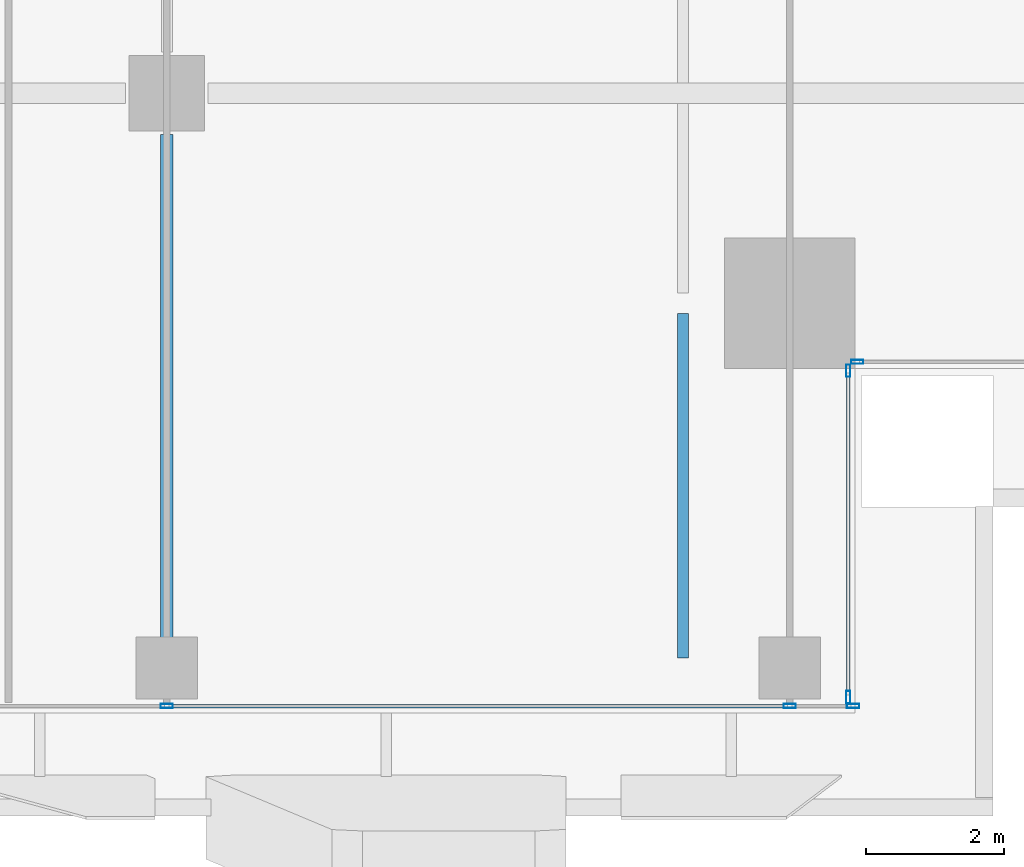
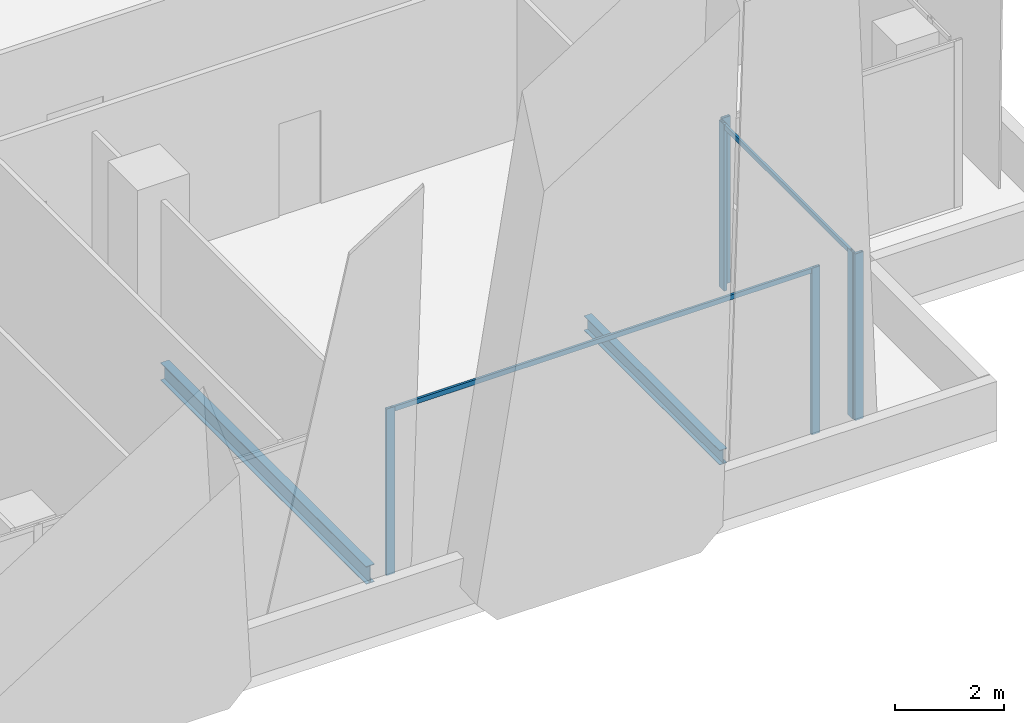
# One storey, part 9 of 33: 8 members, 2 beams, 3 elements without a shape of their own.
"""IFC4 building model written with IfcOpenShell, lengths in metres."""

from ifc_helpers import new_model, si_unit, direction, frame, origin, origin_2d, place, context, subcontext, project, spatial, hollow_rectangle, i_section, extrude, source, transform, mapped, material, material_profile, profile_set, type_object, element, aggregate, save


model = new_model("IFC4")

# Units and contexts
model_context = context("Model", 3, precision=1e-05, world=origin(), true_north=direction((0.0, 1.0)))
body_context = subcontext(model_context, "Body", "Model", "MODEL_VIEW")
ifc_project = project(units=[si_unit("LENGTHUNIT", "METRE"), si_unit("AREAUNIT", "SQUARE_METRE"), si_unit("VOLUMEUNIT", "CUBIC_METRE"), si_unit("PLANEANGLEUNIT", "RADIAN"), si_unit("MASSUNIT", "GRAM", prefix="KILO")], contexts=[model_context])

# Site, building, storey
site_placement = place(None, origin())
site = spatial("IfcSite", under=ifc_project, at=site_placement, CompositionType="ELEMENT")
building_placement = place(site_placement, origin())
building = spatial("IfcBuilding", under=site, at=building_placement, Name="Khomas Fold Tower", CompositionType="ELEMENT")
storey_placement = place(building_placement, frame((0.0, 0.0, 222.199951171875)))
storey = spatial("IfcBuildingStorey", under=building, at=storey_placement, Name="L49", CompositionType="ELEMENT", Elevation=222.199951171875)

# Beams
ifc_material_1 = material(Name="Steel S355", Category="steel")
ifc_material_profile_1 = material_profile(ifc_material_1, i_section(OverallWidth=0.159912109375, OverallDepth=0.330078125, WebThickness=0.007568359375, FlangeThickness=0.011474609375, at=origin_2d()), Name="IPE 330")
ifc_profile_set_1 = profile_set([ifc_material_profile_1], Name="Steel S355")
beam_type_1 = type_object("IfcBeamType", Name="IPE 330 beam JB1", PredefinedType="BEAM", material=ifc_profile_set_1)
shared_shape_1 = source(origin(), body_context, "Body", "SweptSolid", [
    extrude(i_section(OverallWidth=0.159912109375, OverallDepth=0.330078125, WebThickness=0.007568359375, FlangeThickness=0.011474609375, at=origin_2d()), origin(), (0.0, 0.0, 1.0), 5.0),
])
beam_1_placement = place(storey_placement, frame((42.0, 5.300048828125, -0.4150390625), z_axis=(0.0, 1.0, 0.0), x_axis=(-1.0, 0.0, 0.0)))
element("IfcBeam", 1, at=beam_1_placement, inside=storey, type_object=beam_type_1, Name="JB1", PredefinedType="BEAM", context=body_context, shape_type="MappedRepresentation", body=[
    mapped(shared_shape_1, transform((0.0, 0.0, 0.0))),
])
ifc_material_2 = material(Name="Steel S355", Category="steel")
ifc_material_profile_2 = material_profile(ifc_material_2, i_section(OverallWidth=0.179931640625, OverallDepth=0.39990234375, WebThickness=0.008544921875, FlangeThickness=0.013427734375, at=origin_2d()), Name="IPE 400")
ifc_profile_set_2 = profile_set([ifc_material_profile_2], Name="Steel S355")
beam_type_2 = type_object("IfcBeamType", Name="IPE 400 beam JB3", PredefinedType="BEAM", material=ifc_profile_set_2)
shared_shape_2 = source(origin(), body_context, "Body", "SweptSolid", [
    extrude(i_section(OverallWidth=0.179931640625, OverallDepth=0.39990234375, WebThickness=0.008544921875, FlangeThickness=0.013427734375, at=origin_2d()), origin(), (0.0, 0.0, 1.0), 7.574951171875),
])
beam_2_placement = place(storey_placement, frame((34.5, 5.324951171875, -0.449951171875), z_axis=(0.0, 1.0, 0.0), x_axis=(-1.0, 0.0, 0.0)))
element("IfcBeam", 2, at=beam_2_placement, inside=storey, type_object=beam_type_2, Name="JB3", PredefinedType="BEAM", context=body_context, shape_type="MappedRepresentation", body=[
    mapped(shared_shape_2, transform((0.0, 0.0, 0.0))),
])

# Curtain wall, members
ifc_material_3 = material(Name="Aluminium framed double glazing", Category="aluminium")
curtain_wall_type = type_object("IfcCurtainWallType", Name="SK-Unitised clear-glass wall, office floors CW2", PredefinedType="NOTDEFINED", material=ifc_material_3)
curtain_wall_1_placement = place(storey_placement, origin())
curtain_wall_1 = element("IfcCurtainWall", 3, at=curtain_wall_1_placement, inside=storey, type_object=curtain_wall_type, Name="CW2 run L49 00-0", PredefinedType="NOTDEFINED")
ifc_material_4 = material(Name="Aluminium", Category="aluminium")
ifc_material_profile_3 = material_profile(ifc_material_4, hollow_rectangle(XDim=0.06005859375, YDim=0.179931640625, WallThickness=0.00390625, at=origin_2d()), Name="SK-Unitised clear-glass wall, office floors mullion CW2-M")
ifc_profile_set_3 = profile_set([ifc_material_profile_3], Name="Aluminium")
member_type_1 = type_object("IfcMemberType", Name="SK-Unitised clear-glass wall, office floors mullion CW2-M", PredefinedType="MULLION", material=ifc_profile_set_3)
shared_shape_3 = source(origin(), body_context, "Body", "SweptSolid", [
    extrude(hollow_rectangle(XDim=0.06005859375, YDim=0.179931640625, WallThickness=0.00390625, at=origin_2d()), origin(), (0.0, 0.0, 1.0), 3.75),
])
member_1_placement = place(storey_placement, frame((34.5, 4.60009765625, 0.0), z_axis=(0.0, 0.0, 1.0), x_axis=(0.0, 1.0, 0.0)))
member_1 = element("IfcMember", 4, at=member_1_placement, type_object=member_type_1, Name="CW2 mullion 5", PredefinedType="MULLION", context=body_context, shape_type="MappedRepresentation", body=[
    mapped(shared_shape_3, transform((0.0, 0.0, 0.0))),
])
member_2_placement = place(storey_placement, frame((43.550048828125, 4.60009765625, 0.0), z_axis=(0.0, 0.0, 1.0), x_axis=(0.0, 1.0, 0.0)))
member_2 = element("IfcMember", 5, at=member_2_placement, type_object=member_type_1, Name="CW2 mullion 6", PredefinedType="MULLION", context=body_context, shape_type="MappedRepresentation", body=[
    mapped(shared_shape_3, transform((0.0, 0.0, 0.0))),
])
member_3_placement = place(storey_placement, frame((44.469970703125, 4.60009765625, 0.0), z_axis=(0.0, 0.0, 1.0), x_axis=(0.0, 1.0, 0.0)))
member_3 = element("IfcMember", 6, at=member_3_placement, type_object=member_type_1, Name="CW2 mullion 7", PredefinedType="MULLION", context=body_context, shape_type="MappedRepresentation", body=[
    mapped(shared_shape_3, transform((0.0, 0.0, 0.0))),
])

curtain_wall_2_placement = place(storey_placement, origin())
curtain_wall_2 = element("IfcCurtainWall", 7, at=curtain_wall_2_placement, inside=storey, type_object=curtain_wall_type, Name="CW2 corner return L49 01", PredefinedType="NOTDEFINED")
member_4_placement = place(storey_placement, frame((44.39990234375, 4.72998046875, 0.0), z_axis=(0.0, 0.0, 1.0), x_axis=(-1.0, 0.0, 0.0)))
member_4 = element("IfcMember", 8, at=member_4_placement, type_object=member_type_1, Name="CW2 mullion 1", PredefinedType="MULLION", context=body_context, shape_type="MappedRepresentation", body=[
    mapped(shared_shape_3, transform((0.0, 0.0, 0.0))),
])
member_5_placement = place(storey_placement, frame((44.39990234375, 9.469970703125, 0.0), z_axis=(0.0, 0.0, 1.0), x_axis=(-1.0, 0.0, 0.0)))
member_5 = element("IfcMember", 9, at=member_5_placement, type_object=member_type_1, Name="CW2 mullion 2", PredefinedType="MULLION", context=body_context, shape_type="MappedRepresentation", body=[
    mapped(shared_shape_3, transform((0.0, 0.0, 0.0))),
])

# Curtain wall, member
curtain_wall_3_placement = place(storey_placement, origin())
curtain_wall_3 = element("IfcCurtainWall", 10, at=curtain_wall_3_placement, inside=storey, type_object=curtain_wall_type, Name="CW2 corner return L49 02", PredefinedType="NOTDEFINED")
member_6_placement = place(storey_placement, frame((44.530029296875, 9.60009765625, 0.0), z_axis=(0.0, 0.0, 1.0), x_axis=(0.0, 1.0, 0.0)))
member_6 = element("IfcMember", 11, at=member_6_placement, type_object=member_type_1, Name="CW2 mullion 1", PredefinedType="MULLION", context=body_context, shape_type="MappedRepresentation", body=[
    mapped(shared_shape_3, transform((0.0, 0.0, 0.0))),
])
aggregate(curtain_wall_3, [member_6])

# Member
ifc_material_5 = material(Name="Aluminium", Category="aluminium")
ifc_material_profile_4 = material_profile(ifc_material_5, hollow_rectangle(XDim=0.050048828125, YDim=0.110107421875, WallThickness=0.00390625, at=origin_2d()), Name="SK-Unitised clear-glass wall, office floors transom CW2-T")
ifc_profile_set_4 = profile_set([ifc_material_profile_4], Name="Aluminium")
member_type_2 = type_object("IfcMemberType", Name="SK-Unitised clear-glass wall, office floors transom CW2-T", PredefinedType="USERDEFINED", material=ifc_profile_set_4)
shared_shape_4 = source(origin(), body_context, "Body", "SweptSolid", [
    extrude(hollow_rectangle(XDim=0.050048828125, YDim=0.110107421875, WallThickness=0.00390625, at=origin_2d()), origin(), (0.0, 0.0, 1.0), 8.989990234375),
])
member_7_placement = place(storey_placement, frame((34.530029296875, 4.60009765625, 3.695068359375), z_axis=(1.0, 0.0, 0.0), x_axis=(0.0, 1.0, 0.0)))
member_7 = element("IfcMember", 12, at=member_7_placement, type_object=member_type_2, Name="CW2 transom 5", ObjectType="TRANSOM", PredefinedType="USERDEFINED", context=body_context, shape_type="MappedRepresentation", body=[
    mapped(shared_shape_4, transform((0.0, 0.0, 0.0))),
])

aggregate(curtain_wall_1, [member_1, member_2, member_3, member_7])

shared_shape_5 = source(origin(), body_context, "Body", "SweptSolid", [
    extrude(hollow_rectangle(XDim=0.050048828125, YDim=0.110107421875, WallThickness=0.00390625, at=origin_2d()), origin(), (0.0, 0.0, 1.0), 4.679931640625),
])
member_8_placement = place(storey_placement, frame((44.39990234375, 4.760009765625, 3.695068359375), z_axis=(0.0, 1.0, 0.0), x_axis=(-1.0, 0.0, 0.0)))
member_8 = element("IfcMember", 13, at=member_8_placement, type_object=member_type_2, Name="CW2 transom 1", ObjectType="TRANSOM", PredefinedType="USERDEFINED", context=body_context, shape_type="MappedRepresentation", body=[
    mapped(shared_shape_5, transform((0.0, 0.0, 0.0))),
])

aggregate(curtain_wall_2, [member_4, member_5, member_8])

save(model, "model.ifc")
